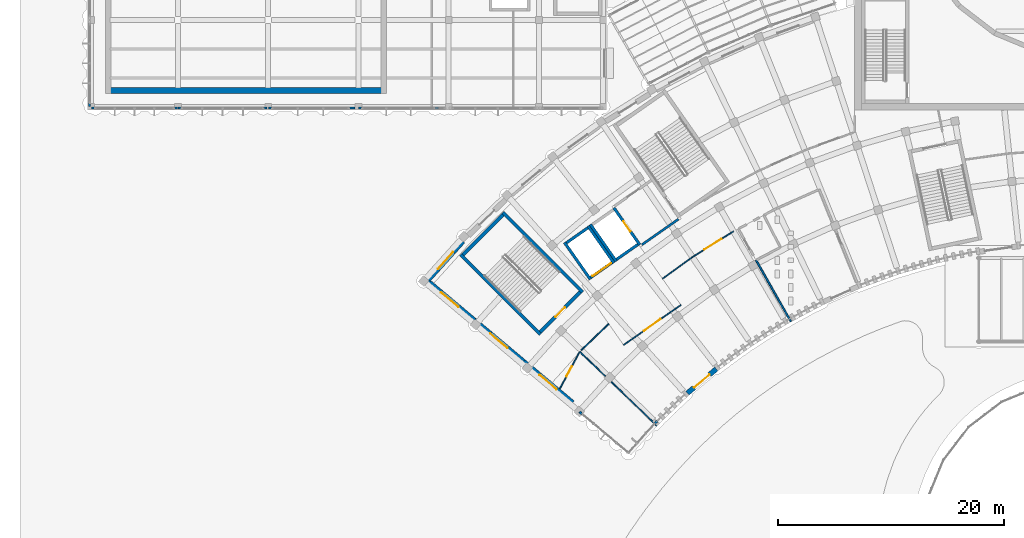
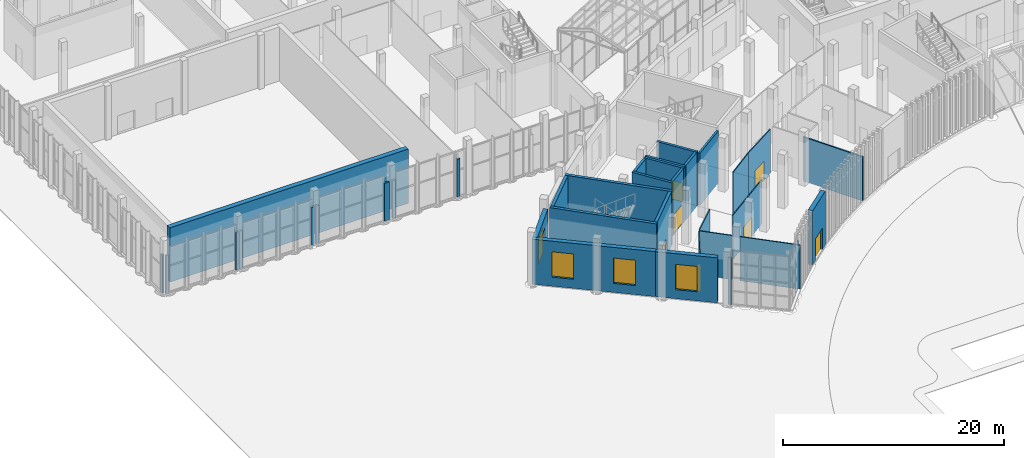
# One storey, part 90 of 155: 37 walls, 7 doors, 4 windows, 11 openings.
"""IFC4 building model written with IfcOpenShell, lengths in metres."""

from ifc_helpers import new_model, si_unit, direction, frame, frame_2d, origin, place, context, subcontext, project, spatial, rectangle, extrude, material, layer, layer_set, type_object, element, fill, save


model = new_model("IFC4")

# Units and contexts
model_context = context("Model", 3, precision=1e-05, world=origin(), true_north=direction((0.0, 1.0)))
body_context = subcontext(model_context, "Body", "Model", "MODEL_VIEW")
ifc_project = project(units=[si_unit("LENGTHUNIT", "METRE"), si_unit("AREAUNIT", "SQUARE_METRE"), si_unit("VOLUMEUNIT", "CUBIC_METRE"), si_unit("PLANEANGLEUNIT", "RADIAN"), si_unit("MASSUNIT", "GRAM", prefix="KILO")], contexts=[model_context])

# Site, building, storey
site_placement = place(None, origin())
site = spatial("IfcSite", under=ifc_project, at=site_placement, CompositionType="ELEMENT")
building_placement = place(site_placement, origin())
building = spatial("IfcBuilding", under=site, at=building_placement, Name="Lunette Opera House", CompositionType="ELEMENT")
storey_placement = place(building_placement, origin())
storey = spatial("IfcBuildingStorey", under=building, at=storey_placement, Name="L00", CompositionType="ELEMENT", Elevation=0.0)

# Wall, opening, window
ifc_material_1 = material(Name="Clinker brick", Category="masonry")
ifc_layer_1 = layer(ifc_material_1, 0.449951171875)
ifc_layer_set_1 = layer_set([ifc_layer_1], Name="Clinker brick")
wall_type_1 = type_object("IfcWallType", Name="ARM END WALL 450", PredefinedType="SOLIDWALL", material=ifc_layer_set_1)
wall_1_placement = place(storey_placement, frame((50.987060546875, 38.06494140625, 0.0), z_axis=(0.0, 0.0, 1.0), x_axis=(-0.766076229388, 0.642749726384, 0.0)))
wall_1 = element("IfcWall", 1, at=wall_1_placement, inside=storey, type_object=wall_type_1, Name="Arm End Wall 450 EN-W1 L00", PredefinedType="SOLIDWALL", context=body_context, shape_type="SweptSolid", body=[
    extrude(rectangle(XDim=5.68359375, YDim=0.449951171875, at=frame_2d((2.841796875, 0.0))), origin(), (0.0, 0.0, 1.0), 4.97998046875),
])
opening_1_placement = place(wall_1_placement, frame((1.842041015625, 0.0, 1.0)))
opening_1 = element("IfcOpeningElement", 2, at=opening_1_placement, cuts=wall_1, Name="Opening FC-N2077", PredefinedType="OPENING", context=body_context, shape_type="SweptSolid", body=[
    extrude(rectangle(XDim=2.0, YDim=2.800048828125, at=frame_2d((1.0, 1.39990234375))), frame((0.0, 0.237060546875, 0.0), z_axis=(0.0, -1.0, 0.0), x_axis=(1.0, 0.0, 0.0)), (0.0, 0.0, 1.0), 0.473876953125),
])
ifc_material_2 = material(Name="Aluminium", Category="aluminium")
window_type = type_object("IfcWindowType", Name="ARM WINDOW 2000 X 2800", PartitioningType="DOUBLE_PANEL_VERTICAL", PredefinedType="WINDOW", material=ifc_material_2)
window_1_placement = place(opening_1_placement, origin())
window_1 = element("IfcWindow", 3, at=window_1_placement, inside=storey, type_object=window_type, Name="Arm Window 2000 X 2800 EN-W1 L00", OverallHeight=2.800048828125, OverallWidth=2.0, PartitioningType="DOUBLE_PANEL_VERTICAL", PredefinedType="WINDOW", context=body_context, shape_type="SweptSolid", body=[
    extrude(rectangle(XDim=2.0, YDim=2.800048828125, at=frame_2d((1.0, 1.39990234375))), frame((0.0, 0.030029296875, 0.0), z_axis=(0.0, -1.0, 0.0), x_axis=(1.0, 0.0, 0.0)), (0.0, 0.0, 1.0), 0.06005859375),
])
fill(opening_1, window_1)

wall_2_placement = place(storey_placement, frame((46.633056640625, 41.718017578125, 0.0), z_axis=(0.0, 0.0, 1.0), x_axis=(-0.766076229388, 0.642749726384, 0.0)))
wall_2 = element("IfcWall", 4, at=wall_2_placement, inside=storey, type_object=wall_type_1, Name="Arm End Wall 450 EN-W2 L00", PredefinedType="SOLIDWALL", context=body_context, shape_type="SweptSolid", body=[
    extrude(rectangle(XDim=5.68359375, YDim=0.449951171875, at=frame_2d((2.841796875, 0.0))), origin(), (0.0, 0.0, 1.0), 4.97998046875),
])
opening_2_placement = place(wall_2_placement, frame((1.842041015625, 0.0, 1.0)))
opening_2 = element("IfcOpeningElement", 5, at=opening_2_placement, cuts=wall_2, Name="Opening FC-N2078", PredefinedType="OPENING", context=body_context, shape_type="SweptSolid", body=[
    extrude(rectangle(XDim=2.0, YDim=2.800048828125, at=frame_2d((1.0, 1.39990234375))), frame((0.0, 0.237060546875, 0.0), z_axis=(0.0, -1.0, 0.0), x_axis=(1.0, 0.0, 0.0)), (0.0, 0.0, 1.0), 0.473876953125),
])
window_2_placement = place(opening_2_placement, origin())
window_2 = element("IfcWindow", 6, at=window_2_placement, inside=storey, type_object=window_type, Name="Arm Window 2000 X 2800 EN-W2 L00", OverallHeight=2.800048828125, OverallWidth=2.0, PartitioningType="DOUBLE_PANEL_VERTICAL", PredefinedType="WINDOW", context=body_context, shape_type="SweptSolid", body=[
    extrude(rectangle(XDim=2.0, YDim=2.800048828125, at=frame_2d((1.0, 1.39990234375))), frame((0.0, 0.030029296875, 0.0), z_axis=(0.0, -1.0, 0.0), x_axis=(1.0, 0.0, 0.0)), (0.0, 0.0, 1.0), 0.06005859375),
])
fill(opening_2, window_2)

wall_3_placement = place(storey_placement, frame((42.279052734375, 45.37109375, 0.0), z_axis=(0.0, 0.0, 1.0), x_axis=(-0.766097380859, 0.642724515668, 0.0)))
wall_3 = element("IfcWall", 7, at=wall_3_placement, inside=storey, type_object=wall_type_1, Name="Arm End Wall 450 EN-W3 L00", PredefinedType="SOLIDWALL", context=body_context, shape_type="SweptSolid", body=[
    extrude(rectangle(XDim=5.683349609375, YDim=0.449951171875, at=frame_2d((2.841796875, 0.0))), origin(), (0.0, 0.0, 1.0), 4.97998046875),
])
opening_3_placement = place(wall_3_placement, frame((1.842041015625, 0.0, 1.0)))
opening_3 = element("IfcOpeningElement", 8, at=opening_3_placement, cuts=wall_3, Name="Opening FC-N2079", PredefinedType="OPENING", context=body_context, shape_type="SweptSolid", body=[
    extrude(rectangle(XDim=2.0, YDim=2.800048828125, at=frame_2d((1.0, 1.39990234375))), frame((0.0, 0.237060546875, 0.0), z_axis=(0.0, -1.0, 0.0), x_axis=(1.0, 0.0, 0.0)), (0.0, 0.0, 1.0), 0.473876953125),
])
window_3_placement = place(opening_3_placement, origin())
window_3 = element("IfcWindow", 9, at=window_3_placement, inside=storey, type_object=window_type, Name="Arm Window 2000 X 2800 EN-W3 L00", OverallHeight=2.800048828125, OverallWidth=2.0, PartitioningType="DOUBLE_PANEL_VERTICAL", PredefinedType="WINDOW", context=body_context, shape_type="SweptSolid", body=[
    extrude(rectangle(XDim=2.0, YDim=2.800048828125, at=frame_2d((1.0, 1.39990234375))), frame((0.0, 0.030029296875, 0.0), z_axis=(0.0, -1.0, 0.0), x_axis=(1.0, 0.0, 0.0)), (0.0, 0.0, 1.0), 0.06005859375),
])
fill(opening_3, window_3)

ifc_material_3 = material(Name="Clinker brick", Category="masonry")
ifc_layer_2 = layer(ifc_material_3, 0.449951171875)
ifc_layer_set_2 = layer_set([ifc_layer_2], Name="Clinker brick")
wall_type_2 = type_object("IfcWallType", Name="ARM RAIN SCREEN WALL 450", PredefinedType="SOLIDWALL", material=ifc_layer_set_2)
wall_4_placement = place(storey_placement, frame((38.18701171875, 48.967041015625, 0.0), z_axis=(0.0, 0.0, 1.0), x_axis=(0.669114598818, 0.74315923842, 0.0)))
wall_4 = element("IfcWall", 10, at=wall_4_placement, inside=storey, type_object=wall_type_2, Name="Arm Rain Screen Wall 450 BW-CW01 L00", PredefinedType="SOLIDWALL", context=body_context, shape_type="SweptSolid", body=[
    extrude(rectangle(XDim=4.589599609375, YDim=0.449951171875, at=frame_2d((2.294921875, 0.0))), origin(), (0.0, 0.0, 1.0), 4.97998046875),
])
opening_4_placement = place(wall_4_placement, frame((1.294921875, 0.0, 1.0)))
opening_4 = element("IfcOpeningElement", 11, at=opening_4_placement, cuts=wall_4, Name="Opening FC-N2107", PredefinedType="OPENING", context=body_context, shape_type="SweptSolid", body=[
    extrude(rectangle(XDim=2.0, YDim=2.800048828125, at=frame_2d((1.0, 1.39990234375))), frame((0.0, 0.237060546875, 0.0), z_axis=(0.0, -1.0, 0.0), x_axis=(1.0, 0.0, 0.0)), (0.0, 0.0, 1.0), 0.473876953125),
])
window_4_placement = place(opening_4_placement, origin())
window_4 = element("IfcWindow", 12, at=window_4_placement, inside=storey, type_object=window_type, Name="Arm Window 2000 X 2800 BW-CW01 L00", OverallHeight=2.800048828125, OverallWidth=2.0, PartitioningType="DOUBLE_PANEL_VERTICAL", PredefinedType="WINDOW", context=body_context, shape_type="SweptSolid", body=[
    extrude(rectangle(XDim=2.0, YDim=2.800048828125, at=frame_2d((1.0, 1.39990234375))), frame((0.0, 0.030029296875, 0.0), z_axis=(0.0, -1.0, 0.0), x_axis=(1.0, 0.0, 0.0)), (0.0, 0.0, 1.0), 0.06005859375),
])
fill(opening_4, window_4)

# Walls
ifc_material_4 = material(Name="Plastered clay blockwork", Category="masonry")
ifc_layer_3 = layer(ifc_material_4, 0.14990234375)
ifc_layer_set_3 = layer_set([ifc_layer_3], Name="Plastered clay blockwork")
wall_type_3 = type_object("IfcWallType", Name="BLOCK PARTITION 150", PredefinedType="PARTITIONING", material=ifc_layer_set_3)
wall_5_placement = place(storey_placement, frame((67.25390625, 50.7041015625, 0.0), z_axis=(0.0, 0.0, 1.0), x_axis=(0.493207740552, -0.869911561401, 0.0)))
element("IfcWall", 13, at=wall_5_placement, inside=storey, type_object=wall_type_3, Name="Partition Public WC Foyer", PredefinedType="PARTITIONING", context=body_context, shape_type="SweptSolid", body=[
    extrude(rectangle(XDim=6.2490234375, YDim=0.14990234375, at=frame_2d((3.12451171875, 0.0))), origin(), (0.0, 0.0, 1.0), 4.8798828125),
])
ifc_material_5 = material(Name="Insulated aluminium sandwich panel", Category="aluminium")
ifc_layer_4 = layer(ifc_material_5, 0.179931640625)
ifc_layer_set_4 = layer_set([ifc_layer_4], Name="Insulated aluminium sandwich panel")
wall_type_4 = type_object("IfcWallType", Name="CURTAIN WALL INFILL 180", PredefinedType="SOLIDWALL", material=ifc_layer_set_4)
wall_6_placement = place(storey_placement, frame((58.27392578125, 36.222900390625, 0.0), z_axis=(0.0, 0.0, 1.0), x_axis=(0.668522807688, 0.743691640131, 0.0)))
element("IfcWall", 14, at=wall_6_placement, inside=storey, type_object=wall_type_4, Name="Curtain Wall Infill 180 IN1 L00", PredefinedType="SOLIDWALL", context=body_context, shape_type="SweptSolid", body=[
    extrude(rectangle(XDim=0.305419921875, YDim=0.179931640625, at=frame_2d((0.15283203125, 0.0))), origin(), (0.0, 0.0, 1.0), 5.14990234375),
])
wall_7_placement = place(storey_placement, frame((51.837890625, 37.056884765625, 0.0), z_axis=(0.0, 0.0, 1.0), x_axis=(-0.766382097523, 0.642384994062, 0.0)))
element("IfcWall", 15, at=wall_7_placement, inside=storey, type_object=wall_type_4, Name="Curtain Wall Infill 180 IN2 L00", PredefinedType="SOLIDWALL", context=body_context, shape_type="SweptSolid", body=[
    extrude(rectangle(XDim=0.30517578125, YDim=0.179931640625, at=frame_2d((0.152587890625, 0.0))), origin(), (0.0, 0.0, 1.0), 5.14990234375),
])
wall_8_placement = place(storey_placement, frame((8.181884765625, 64.6298828125, 0.0), z_axis=(0.0, 0.0, 1.0), x_axis=(0.0, -1.0, 0.0)))
element("IfcWall", 16, at=wall_8_placement, inside=storey, type_object=wall_type_4, Name="Curtain Wall Infill 180 IN22 L00", PredefinedType="SOLIDWALL", context=body_context, shape_type="SweptSolid", body=[
    extrude(rectangle(XDim=0.304931640625, YDim=0.179931640625, at=frame_2d((0.15234375, 0.0))), origin(), (0.0, 0.0, 1.0), 4.199951171875),
])
wall_9_placement = place(storey_placement, frame((15.669921875, 64.18310546875, 0.0), z_axis=(0.0, 0.0, 1.0), x_axis=(1.0, 0.0, 0.0)))
element("IfcWall", 17, at=wall_9_placement, inside=storey, type_object=wall_type_4, Name="Curtain Wall Infill 180 IN24 L00", PredefinedType="SOLIDWALL", context=body_context, shape_type="SweptSolid", body=[
    extrude(rectangle(XDim=0.30517578125, YDim=0.179931640625, at=frame_2d((0.152587890625, 0.0))), origin(), (0.0, 0.0, 1.0), 4.199951171875),
])
wall_10_placement = place(storey_placement, frame((8.6298828125, 64.18310546875, 0.0), z_axis=(0.0, 0.0, 1.0), x_axis=(-1.0, 0.0, 0.0)))
element("IfcWall", 18, at=wall_10_placement, inside=storey, type_object=wall_type_4, Name="Curtain Wall Infill 180 IN25 L00", PredefinedType="SOLIDWALL", context=body_context, shape_type="SweptSolid", body=[
    extrude(rectangle(XDim=0.304931640625, YDim=0.179931640625, at=frame_2d((0.15234375, 0.0))), origin(), (0.0, 0.0, 1.0), 4.199951171875),
])
for number, where, z_axis, x_axis, name in (
    (19, (23.576904296875, 64.18310546875, 0.0), (0.0, 0.0, 1.0), (1.0, 0.0, 0.0), "Curtain Wall Infill 180 IN26 L00"),
    (20, (16.330078125, 64.18310546875, 0.0), (0.0, 0.0, 1.0), (-1.0, 0.0, 0.0), "Curtain Wall Infill 180 IN27 L00"),
):
    element("IfcWall", number, at=place(storey_placement, frame(where, z_axis=z_axis, x_axis=x_axis)), inside=storey, type_object=wall_type_4, Name=name, PredefinedType="SOLIDWALL", context=body_context, shape_type="SweptSolid", body=[
        extrude(rectangle(XDim=0.30517578125, YDim=0.179931640625, at=frame_2d((0.152587890625, 0.0))), origin(), (0.0, 0.0, 1.0), 4.199951171875),
    ])
wall_11_placement = place(storey_placement, frame((31.18310546875, 64.18310546875, 0.0), z_axis=(0.0, 0.0, 1.0), x_axis=(1.0, 0.0, 0.0)))
element("IfcWall", 21, at=wall_11_placement, inside=storey, type_object=wall_type_4, Name="Curtain Wall Infill 180 IN28 L00", PredefinedType="SOLIDWALL", context=body_context, shape_type="SweptSolid", body=[
    extrude(rectangle(XDim=0.514892578125, YDim=0.179931640625, at=frame_2d((0.25732421875, 0.0))), origin(), (0.0, 0.0, 1.0), 4.199951171875),
])
wall_12_placement = place(storey_placement, frame((24.330078125, 64.18310546875, 0.0), z_axis=(0.0, 0.0, 1.0), x_axis=(-1.0, 0.0, 0.0)))
element("IfcWall", 22, at=wall_12_placement, inside=storey, type_object=wall_type_4, Name="Curtain Wall Infill 180 IN29 L00", PredefinedType="SOLIDWALL", context=body_context, shape_type="SweptSolid", body=[
    extrude(rectangle(XDim=0.30517578125, YDim=0.179931640625, at=frame_2d((0.152587890625, 0.0))), origin(), (0.0, 0.0, 1.0), 4.199951171875),
])
wall_13_placement = place(storey_placement, frame((38.7880859375, 64.18310546875, 0.0), z_axis=(0.0, 0.0, 1.0), x_axis=(1.0, 0.0, 0.0)))
element("IfcWall", 23, at=wall_13_placement, inside=storey, type_object=wall_type_4, Name="Curtain Wall Infill 180 IN30 L00", PredefinedType="SOLIDWALL", context=body_context, shape_type="SweptSolid", body=[
    extrude(rectangle(XDim=0.304931640625, YDim=0.179931640625, at=frame_2d((0.15234375, 0.0))), origin(), (0.0, 0.0, 1.0), 4.199951171875),
])
wall_14_placement = place(storey_placement, frame((32.330078125, 64.18310546875, 0.0), z_axis=(0.0, 0.0, 1.0), x_axis=(-1.0, 0.0, 0.0)))
element("IfcWall", 24, at=wall_14_placement, inside=storey, type_object=wall_type_4, Name="Curtain Wall Infill 180 IN31 L00", PredefinedType="SOLIDWALL", context=body_context, shape_type="SweptSolid", body=[
    extrude(rectangle(XDim=0.30517578125, YDim=0.179931640625, at=frame_2d((0.152587890625, 0.0))), origin(), (0.0, 0.0, 1.0), 4.199951171875),
])

# Wall, opening, door
ifc_material_6 = material(Name="Clinker brick", Category="masonry")
ifc_layer_5 = layer(ifc_material_6, 0.449951171875)
ifc_layer_set_5 = layer_set([ifc_layer_5], Name="Clinker brick")
wall_type_5 = type_object("IfcWallType", Name="ENTRANCE PORTAL WALL 450", PredefinedType="SOLIDWALL", material=ifc_layer_set_5)
wall_15_placement = place(storey_placement, frame((61.166015625, 38.910888671875, 0.0), z_axis=(0.0, 0.0, 1.0), x_axis=(0.766111561279, 0.642707612896, 0.0)))
wall_15 = element("IfcWall", 25, at=wall_15_placement, inside=storey, type_object=wall_type_5, Name="Entrance Portal Wall 450 PW6 L00", PredefinedType="SOLIDWALL", context=body_context, shape_type="SweptSolid", body=[
    extrude(rectangle(XDim=3.345458984375, YDim=0.449951171875, at=frame_2d((1.6728515625, 0.0))), origin(), (0.0, 0.0, 1.0), 6.0),
])
opening_5_placement = place(wall_15_placement, frame((0.77294921875, 0.0, 0.0)))
opening_5 = element("IfcOpeningElement", 26, at=opening_5_placement, cuts=wall_15, Name="Opening FC-D2001", PredefinedType="OPENING", context=body_context, shape_type="SweptSolid", body=[
    extrude(rectangle(XDim=1.800048828125, YDim=2.39990234375, at=frame_2d((0.89990234375, 1.199951171875))), frame((0.0, 0.237060546875, 0.0), z_axis=(0.0, -1.0, 0.0), x_axis=(1.0, 0.0, 0.0)), (0.0, 0.0, 1.0), 0.473876953125),
])
ifc_material_7 = material(Name="Powder-coated steel", Category="steel")
door_type_1 = type_object("IfcDoorType", Name="EXIT DOUBLE DOOR 1800 X 2400", OperationType="DOUBLE_DOOR_DOUBLE_SWING", PredefinedType="DOOR", material=ifc_material_7)
door_1_placement = place(opening_5_placement, origin())
door_1 = element("IfcDoor", 27, at=door_1_placement, inside=storey, type_object=door_type_1, Name="Exit Double Door 1800 X 2400 PW6 L00", OperationType="DOUBLE_DOOR_DOUBLE_SWING", OverallHeight=2.39990234375, OverallWidth=1.800048828125, PredefinedType="DOOR", context=body_context, shape_type="SweptSolid", body=[
    extrude(rectangle(XDim=1.800048828125, YDim=2.39990234375, at=frame_2d((0.89990234375, 1.199951171875))), frame((0.0, 0.02490234375, 0.0), z_axis=(0.0, -1.0, 0.0), x_axis=(1.0, 0.0, 0.0)), (0.0, 0.0, 1.0), 0.050048828125),
])
fill(opening_5, door_1)

# Wall
ifc_material_8 = material(Name="Concrete C35/45", Category="concrete")
ifc_layer_6 = layer(ifc_material_8, 0.199951171875)
ifc_layer_set_6 = layer_set([ifc_layer_6], Name="Concrete C35/45")
wall_type_6 = type_object("IfcWallType", Name="LOBBY WALL 200", PredefinedType="PARTITIONING", material=ifc_layer_set_6)
wall_16_placement = place(storey_placement, frame((57.125, 52.069091796875, 0.0), z_axis=(0.0, 0.0, 1.0), x_axis=(0.81911891796, 0.573623742744, 0.0)))
element("IfcWall", 28, at=wall_16_placement, inside=storey, type_object=wall_type_6, Name="FL2 lobby wall 4a", PredefinedType="PARTITIONING", context=body_context, shape_type="SweptSolid", body=[
    extrude(rectangle(XDim=3.958984375, YDim=0.199951171875, at=frame_2d((1.9794921875, 0.0))), origin(), (0.0, 0.0, 1.0), 5.780029296875),
])

# Wall, opening, door
ifc_material_9 = material(Name="Concrete C35/45", Category="concrete")
ifc_layer_7 = layer(ifc_material_9, 0.25)
ifc_layer_set_7 = layer_set([ifc_layer_7], Name="Concrete C35/45")
wall_type_7 = type_object("IfcWallType", Name="RC LIFT SHAFT WALL 250", PredefinedType="SOLIDWALL", material=ifc_layer_set_7)
wall_17_placement = place(storey_placement, frame((56.948974609375, 52.06689453125, 0.0), z_axis=(0.0, 0.0, 1.0), x_axis=(-0.573736768582, 0.819039755065, 0.0)))
wall_17 = element("IfcWall", 29, at=wall_17_placement, inside=storey, type_object=wall_type_7, Name="FL2 shaft wall 1", PredefinedType="SOLIDWALL", context=body_context, shape_type="SweptSolid", body=[
    extrude(rectangle(XDim=4.0, YDim=0.25, at=frame_2d((2.0, 0.0))), origin(), (0.0, 0.0, 1.0), 6.0),
])
opening_6_placement = place(wall_17_placement, frame((1.449951171875, 0.0, 0.0)))
opening_6 = element("IfcOpeningElement", 30, at=opening_6_placement, cuts=wall_17, Name="Opening FC-LD008", PredefinedType="OPENING", context=body_context, shape_type="SweptSolid", body=[
    extrude(rectangle(XDim=1.10009765625, YDim=2.10009765625, at=frame_2d((0.550048828125, 1.050048828125))), frame((0.0, 0.136962890625, 0.0), z_axis=(0.0, -1.0, 0.0), x_axis=(1.0, 0.0, 0.0)), (0.0, 0.0, 1.0), 0.27392578125),
])
ifc_material_10 = material(Name="Stainless steel", Category="steel")
door_type_2 = type_object("IfcDoorType", Name="LIFT LANDING DOOR 1100 X 2100", OperationType="DOUBLE_DOOR_SLIDING", PredefinedType="DOOR", material=ifc_material_10)
door_2_placement = place(opening_6_placement, origin())
door_2 = element("IfcDoor", 31, at=door_2_placement, inside=storey, type_object=door_type_2, Name="FL2 lift landing door", OperationType="DOUBLE_DOOR_SLIDING", OverallHeight=2.10009765625, OverallWidth=1.10009765625, PredefinedType="DOOR", context=body_context, shape_type="SweptSolid", body=[
    extrude(rectangle(XDim=1.10009765625, YDim=2.10009765625, at=frame_2d((0.550048828125, 1.050048828125))), frame((0.0, 0.02490234375, 0.0), z_axis=(0.0, -1.0, 0.0), x_axis=(1.0, 0.0, 0.0)), (0.0, 0.0, 1.0), 0.050048828125),
])
fill(opening_6, door_2)

# Walls
wall_18_placement = place(storey_placement, frame((52.56494140625, 53.881103515625, 0.0), z_axis=(0.0, 0.0, 1.0), x_axis=(0.573572956461, -0.819154480923, 0.0)))
element("IfcWall", 32, at=wall_18_placement, inside=storey, type_object=wall_type_7, Name="FL2 shaft wall 3", PredefinedType="SOLIDWALL", context=body_context, shape_type="SweptSolid", body=[
    extrude(rectangle(XDim=3.99951171875, YDim=0.25, at=frame_2d((1.999755859375, 0.0))), origin(), (0.0, 0.0, 1.0), 6.0),
])
wall_19_placement = place(storey_placement, frame((54.889892578125, 50.779052734375, 0.0), z_axis=(0.0, 0.0, 1.0), x_axis=(0.819366508838, 0.573270027295, 0.0)))
element("IfcWall", 33, at=wall_19_placement, inside=storey, type_object=wall_type_7, Name="FL2 shaft wall 4", PredefinedType="SOLIDWALL", context=body_context, shape_type="SweptSolid", body=[
    extrude(rectangle(XDim=2.300537109375, YDim=0.25, at=frame_2d((1.150390625, 0.0))), origin(), (0.0, 0.0, 1.0), 6.0),
])
wall_20_placement = place(storey_placement, frame((54.655029296875, 50.4609375, 0.0), z_axis=(0.0, 0.0, 1.0), x_axis=(-0.573572956461, 0.819154480923, 0.0)))
element("IfcWall", 34, at=wall_20_placement, inside=storey, type_object=wall_type_7, Name="LF1 shaft wall 1", PredefinedType="SOLIDWALL", context=body_context, shape_type="SweptSolid", body=[
    extrude(rectangle(XDim=3.99951171875, YDim=0.25, at=frame_2d((1.999755859375, 0.0))), origin(), (0.0, 0.0, 1.0), 6.0),
])
wall_21_placement = place(storey_placement, frame((52.330078125, 53.56298828125, 0.0), z_axis=(0.0, 0.0, 1.0), x_axis=(-0.819316661421, -0.57334126689, 0.0)))
element("IfcWall", 35, at=wall_21_placement, inside=storey, type_object=wall_type_7, Name="LF1 shaft wall 2", PredefinedType="SOLIDWALL", context=body_context, shape_type="SweptSolid", body=[
    extrude(rectangle(XDim=2.30078125, YDim=0.25, at=frame_2d((1.150390625, 0.0))), origin(), (0.0, 0.0, 1.0), 6.0),
])
wall_22_placement = place(storey_placement, frame((50.27099609375, 52.27490234375, 0.0), z_axis=(0.0, 0.0, 1.0), x_axis=(0.57360163893, -0.819134396675, 0.0)))
element("IfcWall", 36, at=wall_22_placement, inside=storey, type_object=wall_type_7, Name="LF1 shaft wall 3", PredefinedType="SOLIDWALL", context=body_context, shape_type="SweptSolid", body=[
    extrude(rectangle(XDim=3.999267578125, YDim=0.25, at=frame_2d((1.99951171875, 0.0))), origin(), (0.0, 0.0, 1.0), 6.0),
])

# Wall, opening, door
wall_23_placement = place(storey_placement, frame((52.595947265625, 49.173095703125, 0.0), z_axis=(0.0, 0.0, 1.0), x_axis=(0.819366508838, 0.573270027295, 0.0)))
wall_23 = element("IfcWall", 37, at=wall_23_placement, inside=storey, type_object=wall_type_7, Name="LF1 shaft wall 4", PredefinedType="SOLIDWALL", context=body_context, shape_type="SweptSolid", body=[
    extrude(rectangle(XDim=2.300537109375, YDim=0.25, at=frame_2d((1.150390625, 0.0))), origin(), (0.0, 0.0, 1.0), 6.0),
])
opening_7_placement = place(wall_23_placement, frame((0.199951171875, 0.0, 0.0)))
opening_7 = element("IfcOpeningElement", 38, at=opening_7_placement, cuts=wall_23, Name="Opening FC-LD014", PredefinedType="OPENING", context=body_context, shape_type="SweptSolid", body=[
    extrude(rectangle(XDim=2.0, YDim=2.199951171875, at=frame_2d((1.0, 1.10009765625))), frame((0.0, 0.136962890625, 0.0), z_axis=(0.0, -1.0, 0.0), x_axis=(1.0, 0.0, 0.0)), (0.0, 0.0, 1.0), 0.27392578125),
])
ifc_material_11 = material(Name="Stainless steel", Category="steel")
door_type_3 = type_object("IfcDoorType", Name="LIFT LANDING DOOR 2000 X 2200", OperationType="DOUBLE_DOOR_SLIDING", PredefinedType="DOOR", material=ifc_material_11)
door_3_placement = place(opening_7_placement, origin())
door_3 = element("IfcDoor", 39, at=door_3_placement, inside=storey, type_object=door_type_3, Name="LF1 lift landing door", OperationType="DOUBLE_DOOR_SLIDING", OverallHeight=2.199951171875, OverallWidth=2.0, PredefinedType="DOOR", context=body_context, shape_type="SweptSolid", body=[
    extrude(rectangle(XDim=2.0, YDim=2.199951171875, at=frame_2d((1.0, 1.10009765625))), frame((0.0, 0.02490234375, 0.0), z_axis=(0.0, -1.0, 0.0), x_axis=(1.0, 0.0, 0.0)), (0.0, 0.0, 1.0), 0.050048828125),
])
fill(opening_7, door_3)

ifc_material_12 = material(Name="Concrete C35/45", Category="concrete")
ifc_layer_8 = layer(ifc_material_12, 0.300048828125)
ifc_layer_set_8 = layer_set([ifc_layer_8], Name="Concrete C35/45")
wall_type_8 = type_object("IfcWallType", Name="RC STAIR ENCLOSURE WALL 300", PredefinedType="SOLIDWALL", material=ifc_layer_set_8)
wall_24_placement = place(storey_placement, frame((48.12890625, 44.3349609375, 0.0), z_axis=(0.0, 0.0, 1.0), x_axis=(0.707106781187, 0.707106781187, 0.0)))
wall_24 = element("IfcWall", 40, at=wall_24_placement, inside=storey, type_object=wall_type_8, Name="ST1 enclosure wall 1", PredefinedType="SOLIDWALL", context=body_context, shape_type="SweptSolid", body=[
    extrude(rectangle(XDim=5.000732421875, YDim=0.300048828125, at=frame_2d((2.50048828125, 0.0))), origin(), (0.0, 0.0, 1.0), 6.0),
])
opening_8_placement = place(wall_24_placement, frame((1.89990234375, 0.0, 0.0)))
opening_8 = element("IfcOpeningElement", 41, at=opening_8_placement, cuts=wall_24, Name="Opening FC-D7008", PredefinedType="OPENING", context=body_context, shape_type="SweptSolid", body=[
    extrude(rectangle(XDim=1.199951171875, YDim=2.10009765625, at=frame_2d((0.60009765625, 1.050048828125))), frame((0.0, 0.162109375, 0.0), z_axis=(0.0, -1.0, 0.0), x_axis=(1.0, 0.0, 0.0)), (0.0, 0.0, 1.0), 0.323974609375),
])
ifc_material_13 = material(Name="Steel", Category="steel")
door_type_4 = type_object("IfcDoorType", Name="FIRE DOOR 1200 X 2100", OperationType="SINGLE_SWING_LEFT", PredefinedType="DOOR", material=ifc_material_13)
door_4_placement = place(opening_8_placement, origin())
door_4 = element("IfcDoor", 42, at=door_4_placement, inside=storey, type_object=door_type_4, Name="ST1 stair door", OperationType="SINGLE_SWING_LEFT", OverallHeight=2.10009765625, OverallWidth=1.199951171875, PredefinedType="DOOR", context=body_context, shape_type="SweptSolid", body=[
    extrude(rectangle(XDim=1.199951171875, YDim=2.10009765625, at=frame_2d((0.60009765625, 1.050048828125))), frame((0.0, 0.02490234375, 0.0), z_axis=(0.0, -1.0, 0.0), x_axis=(1.0, 0.0, 0.0)), (0.0, 0.0, 1.0), 0.050048828125),
])
fill(opening_8, door_4)

# Walls
wall_25_placement = place(storey_placement, frame((51.876953125, 47.87109375, 0.0), z_axis=(0.0, 0.0, 1.0), x_axis=(-0.707118988363, 0.7070945738, 0.0)))
element("IfcWall", 43, at=wall_25_placement, inside=storey, type_object=wall_type_8, Name="ST1 enclosure wall 2", PredefinedType="SOLIDWALL", context=body_context, shape_type="SweptSolid", body=[
    extrude(rectangle(XDim=9.999755859375, YDim=0.300048828125, at=frame_2d((5.0, 0.0))), origin(), (0.0, 0.0, 1.0), 6.0),
])
wall_26_placement = place(storey_placement, frame((44.805908203125, 54.72998046875, 0.0), z_axis=(0.0, 0.0, 1.0), x_axis=(-0.707106781187, -0.707106781187, 0.0)))
element("IfcWall", 44, at=wall_26_placement, inside=storey, type_object=wall_type_8, Name="ST1 enclosure wall 3", PredefinedType="SOLIDWALL", context=body_context, shape_type="SweptSolid", body=[
    extrude(rectangle(XDim=5.00048828125, YDim=0.300048828125, at=frame_2d((2.500244140625, 0.0))), origin(), (0.0, 0.0, 1.0), 6.0),
])
wall_27_placement = place(storey_placement, frame((41.05810546875, 51.194091796875, 0.0), z_axis=(0.0, 0.0, 1.0), x_axis=(0.7070945738, -0.707118988363, 0.0)))
element("IfcWall", 45, at=wall_27_placement, inside=storey, type_object=wall_type_8, Name="ST1 enclosure wall 4", PredefinedType="SOLIDWALL", context=body_context, shape_type="SweptSolid", body=[
    extrude(rectangle(XDim=9.999755859375, YDim=0.300048828125, at=frame_2d((5.0, 0.0))), origin(), (0.0, 0.0, 1.0), 6.0),
])
ifc_material_14 = material(Name="Concrete C35/45", Category="concrete")
ifc_layer_9 = layer(ifc_material_14, 0.5)
ifc_layer_set_9 = layer_set([ifc_layer_9], Name="Concrete C35/45")
wall_type_9 = type_object("IfcWallType", Name="RC WALL 500", PredefinedType="SHEAR", material=ifc_layer_set_9)
wall_28_placement = place(storey_placement, frame((9.56005859375, 65.75, 0.0), z_axis=(0.0, 0.0, 1.0), x_axis=(1.0, 0.0, 0.0)))
element("IfcWall", 46, at=wall_28_placement, inside=storey, type_object=wall_type_9, Name="wall-RW-L00-HW-S-1", PredefinedType="SHEAR", context=body_context, shape_type="SweptSolid", body=[
    extrude(rectangle(XDim=24.93994140625, YDim=0.5, at=frame_2d((12.469970703125, 0.0))), origin(), (0.0, 0.0, 1.0), 6.0),
])
ifc_material_15 = material(Name="Gypsum board on steel studs", Category="steel")
ifc_layer_10 = layer(ifc_material_15, 0.10009765625)
ifc_layer_set_10 = layer_set([ifc_layer_10], Name="Gypsum board on steel studs")
wall_type_10 = type_object("IfcWallType", Name="STUD PARTITION 100", PredefinedType="PARTITIONING", material=ifc_layer_set_10)
wall_29_placement = place(storey_placement, frame((53.905029296875, 40.408935546875, 0.0), z_axis=(0.0, 0.0, 1.0), x_axis=(-0.721447867572, 0.692468753357, 0.0)))
element("IfcWall", 47, at=wall_29_placement, inside=storey, type_object=wall_type_10, Name="Partition Fire Control Room", PredefinedType="PARTITIONING", context=body_context, shape_type="SweptSolid", body=[
    extrude(rectangle(XDim=3.142333984375, YDim=0.10009765625, at=frame_2d((1.5712890625, 0.0))), origin(), (0.0, 0.0, 1.0), 4.8798828125),
])
wall_30_placement = place(storey_placement, frame((58.455078125, 36.0419921875, 0.0), z_axis=(0.0, 0.0, 1.0), x_axis=(-0.721504813875, 0.692409419026, 0.0)))
element("IfcWall", 48, at=wall_30_placement, inside=storey, type_object=wall_type_10, Name="Partition Fire Control Room", PredefinedType="PARTITIONING", context=body_context, shape_type="SweptSolid", body=[
    extrude(rectangle(XDim=5.605224609375, YDim=0.10009765625, at=frame_2d((2.802734375, 0.0))), origin(), (0.0, 0.0, 1.0), 4.8798828125),
])

# Wall, opening, door
wall_31_placement = place(storey_placement, frame((55.508056640625, 43.18408203125, 0.0), z_axis=(0.0, 0.0, 1.0), x_axis=(0.81912644488, 0.573612994359, 0.0)))
wall_31 = element("IfcWall", 49, at=wall_31_placement, inside=storey, type_object=wall_type_10, Name="Partition Open Lift Lobby West", PredefinedType="PARTITIONING", context=body_context, shape_type="SweptSolid", body=[
    extrude(rectangle(XDim=6.19921875, YDim=0.10009765625, at=frame_2d((3.099609375, 0.0))), origin(), (0.0, 0.0, 1.0), 4.8798828125),
])
opening_9_placement = place(wall_31_placement, frame((2.199951171875, 0.0, 0.0)))
opening_9 = element("IfcOpeningElement", 50, at=opening_9_placement, cuts=wall_31, Name="Opening FC-D3012", PredefinedType="OPENING", context=body_context, shape_type="SweptSolid", body=[
    extrude(rectangle(XDim=1.800048828125, YDim=2.10009765625, at=frame_2d((0.89990234375, 1.050048828125))), frame((0.0, 0.06201171875, 0.0), z_axis=(0.0, -1.0, 0.0), x_axis=(1.0, 0.0, 0.0)), (0.0, 0.0, 1.0), 0.1240234375),
])
ifc_material_16 = material(Name="Timber", Category="wood")
door_type_5 = type_object("IfcDoorType", Name="DOUBLE FLUSH DOOR 1800 X 2100", OperationType="DOUBLE_DOOR_SINGLE_SWING", PredefinedType="DOOR", material=ifc_material_16)
door_5_placement = place(opening_9_placement, origin())
door_5 = element("IfcDoor", 51, at=door_5_placement, inside=storey, type_object=door_type_5, Name="Ticket Hall door", OperationType="DOUBLE_DOOR_SINGLE_SWING", OverallHeight=2.10009765625, OverallWidth=1.800048828125, PredefinedType="DOOR", context=body_context, shape_type="SweptSolid", body=[
    extrude(rectangle(XDim=1.800048828125, YDim=2.10009765625, at=frame_2d((0.89990234375, 1.050048828125))), frame((0.0, 0.02490234375, 0.0), z_axis=(0.0, -1.0, 0.0), x_axis=(1.0, 0.0, 0.0)), (0.0, 0.0, 1.0), 0.050048828125),
])
fill(opening_9, door_5)

wall_32_placement = place(storey_placement, frame((61.610107421875, 50.986083984375, 0.0), z_axis=(0.0, 0.0, 1.0), x_axis=(0.848001499411, 0.52999382732, 0.0)))
wall_32 = element("IfcWall", 52, at=wall_32_placement, inside=storey, type_object=wall_type_10, Name="Partition Main Foyer", PredefinedType="PARTITIONING", context=body_context, shape_type="SweptSolid", body=[
    extrude(rectangle(XDim=4.292236328125, YDim=0.10009765625, at=frame_2d((2.14599609375, 0.0))), origin(), (0.0, 0.0, 1.0), 4.8798828125),
])
opening_10_placement = place(wall_32_placement, frame((1.24609375, 0.0, 0.0)))
opening_10 = element("IfcOpeningElement", 53, at=opening_10_placement, cuts=wall_32, Name="Opening FC-D3013", PredefinedType="OPENING", context=body_context, shape_type="SweptSolid", body=[
    extrude(rectangle(XDim=1.800048828125, YDim=2.10009765625, at=frame_2d((0.89990234375, 1.050048828125))), frame((0.0, 0.06201171875, 0.0), z_axis=(0.0, -1.0, 0.0), x_axis=(1.0, 0.0, 0.0)), (0.0, 0.0, 1.0), 0.1240234375),
])
door_6_placement = place(opening_10_placement, origin())
door_6 = element("IfcDoor", 54, at=door_6_placement, inside=storey, type_object=door_type_5, Name="Ticket Hall door", OperationType="DOUBLE_DOOR_SINGLE_SWING", OverallHeight=2.10009765625, OverallWidth=1.800048828125, PredefinedType="DOOR", context=body_context, shape_type="SweptSolid", body=[
    extrude(rectangle(XDim=1.800048828125, YDim=2.10009765625, at=frame_2d((0.89990234375, 1.050048828125))), frame((0.0, 0.02490234375, 0.0), z_axis=(0.0, -1.0, 0.0), x_axis=(1.0, 0.0, 0.0)), (0.0, 0.0, 1.0), 0.050048828125),
])
fill(opening_10, door_6)

wall_33_placement = place(storey_placement, frame((51.60400390625, 42.547119140625, 0.0), z_axis=(0.0, 0.0, 1.0), x_axis=(-0.476404981664, -0.879225962677, 0.0)))
wall_33 = element("IfcWall", 55, at=wall_33_placement, inside=storey, type_object=wall_type_10, Name="Partition Fire Control Room", PredefinedType="PARTITIONING", context=body_context, shape_type="SweptSolid", body=[
    extrude(rectangle(XDim=3.679443359375, YDim=0.10009765625, at=frame_2d((1.83984375, 0.0))), origin(), (0.0, 0.0, 1.0), 4.8798828125),
])
opening_11_placement = place(wall_33_placement, frame((1.447998046875, 0.0, 0.0)))
opening_11 = element("IfcOpeningElement", 56, at=opening_11_placement, cuts=wall_33, Name="Opening FC-D3023", PredefinedType="OPENING", context=body_context, shape_type="SweptSolid", body=[
    extrude(rectangle(XDim=1.0, YDim=2.10009765625, at=frame_2d((0.5, 1.050048828125))), frame((0.0, 0.06201171875, 0.0), z_axis=(0.0, -1.0, 0.0), x_axis=(1.0, 0.0, 0.0)), (0.0, 0.0, 1.0), 0.1240234375),
])
ifc_material_17 = material(Name="Timber", Category="wood")
door_type_6 = type_object("IfcDoorType", Name="FLUSH DOOR 1000 X 2100", OperationType="SINGLE_SWING_LEFT", PredefinedType="DOOR", material=ifc_material_17)
door_7_placement = place(opening_11_placement, origin())
door_7 = element("IfcDoor", 57, at=door_7_placement, inside=storey, type_object=door_type_6, Name="Fire Control Room door", OperationType="SINGLE_SWING_RIGHT", OverallHeight=2.10009765625, OverallWidth=1.0, PredefinedType="DOOR", context=body_context, shape_type="SweptSolid", body=[
    extrude(rectangle(XDim=1.0, YDim=2.10009765625, at=frame_2d((0.5, 1.050048828125))), frame((0.0, 0.02490234375, 0.0), z_axis=(0.0, -1.0, 0.0), x_axis=(1.0, 0.0, 0.0)), (0.0, 0.0, 1.0), 0.050048828125),
])
fill(opening_11, door_7)

# Walls
wall_34_placement = place(storey_placement, frame((51.760986328125, 42.720947265625, 0.0), z_axis=(0.0, 0.0, 1.0), x_axis=(0.719150966755, 0.694853860186, 0.0)))
element("IfcWall", 58, at=wall_34_placement, inside=storey, type_object=wall_type_10, Name="Partition Main Foyer Rear", PredefinedType="PARTITIONING", context=body_context, shape_type="SweptSolid", body=[
    extrude(rectangle(XDim=3.376220703125, YDim=0.10009765625, at=frame_2d((1.68798828125, 0.0))), origin(), (0.0, 0.0, 1.0), 4.8798828125),
])
wall_35_placement = place(storey_placement, frame((58.9609375, 49.06103515625, 0.0), z_axis=(0.0, 0.0, 1.0), x_axis=(0.808971364307, 0.587848051567, 0.0)))
element("IfcWall", 59, at=wall_35_placement, inside=storey, type_object=wall_type_10, Name="Partition Main Foyer", PredefinedType="PARTITIONING", context=body_context, shape_type="SweptSolid", body=[
    extrude(rectangle(XDim=3.274658203125, YDim=0.10009765625, at=frame_2d((1.63720703125, 0.0))), origin(), (0.0, 0.0, 1.0), 4.8798828125),
])

save(model, "model.ifc")
